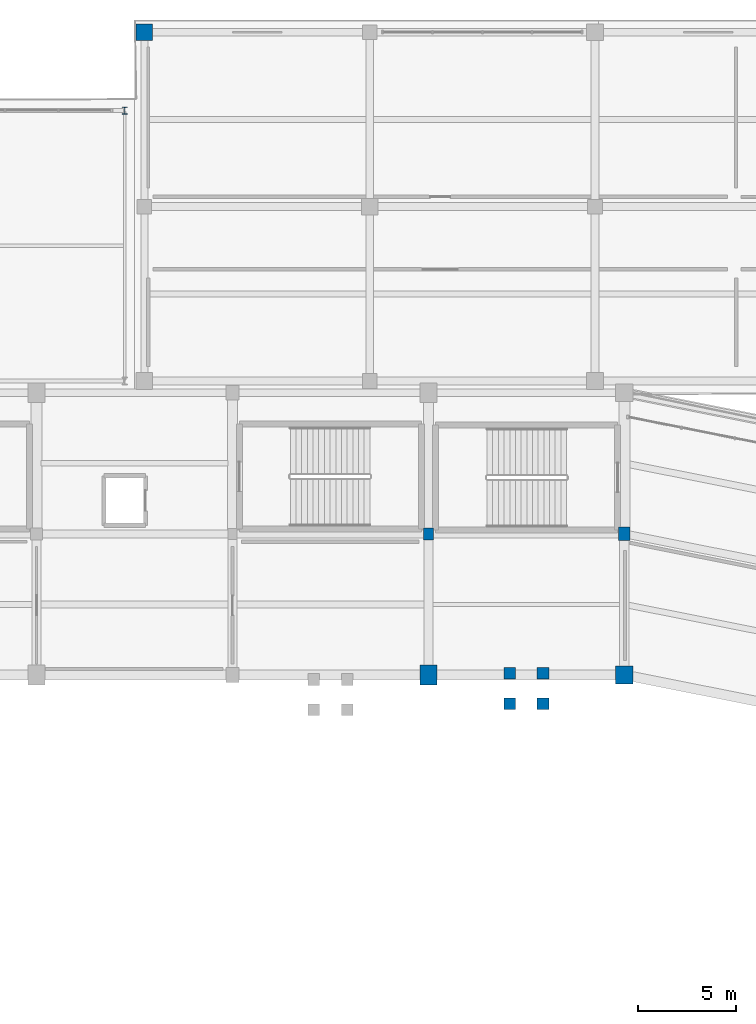
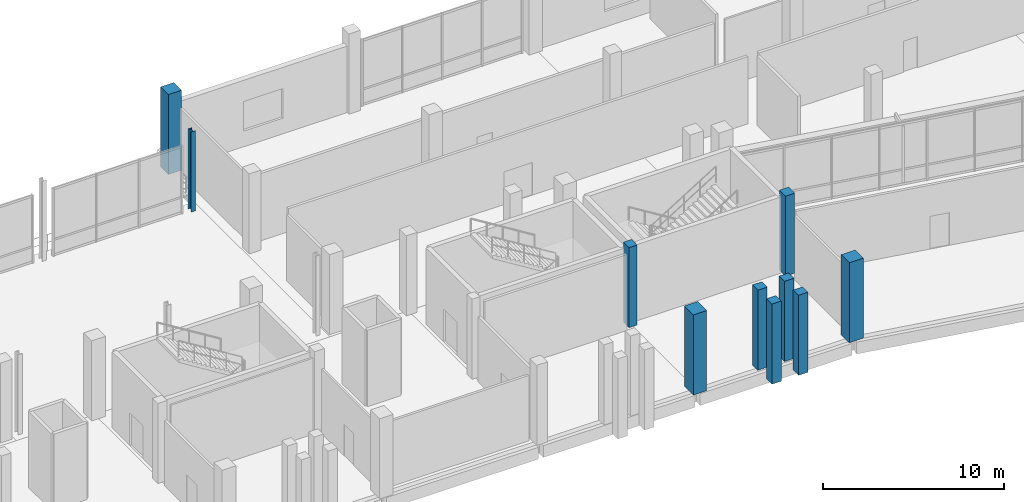
# One storey, part 9 of 114: 10 columns.
"""IFC4 building model written with IfcOpenShell, lengths in metres."""

from ifc_helpers import new_model, si_unit, direction, frame, origin, origin_2d, place, context, subcontext, project, spatial, rectangle, i_section, extrude, material, material_profile, profile_set, type_object, element, save


model = new_model("IFC4")

# Units and contexts
model_context = context("Model", 3, precision=1e-05, world=origin(), true_north=direction((0.0, 1.0)))
body_context = subcontext(model_context, "Body", "Model", "MODEL_VIEW")
ifc_project = project(units=[si_unit("LENGTHUNIT", "METRE"), si_unit("AREAUNIT", "SQUARE_METRE"), si_unit("VOLUMEUNIT", "CUBIC_METRE"), si_unit("PLANEANGLEUNIT", "RADIAN"), si_unit("MASSUNIT", "GRAM", prefix="KILO")], contexts=[model_context])

# Site, building, storey
site_placement = place(None, origin())
site = spatial("IfcSite", under=ifc_project, at=site_placement, CompositionType="ELEMENT")
building_placement = place(site_placement, origin())
building = spatial("IfcBuilding", under=site, at=building_placement, Name="Candeia Ridge Stadium", CompositionType="ELEMENT")
storey_placement = place(building_placement, frame((0.0, 0.0, 5.39990234375)))
storey = spatial("IfcBuildingStorey", under=building, at=storey_placement, Name="L01", CompositionType="ELEMENT", Elevation=5.39990234375)

# Columns
ifc_material_1 = material(Name="Concrete C45/55", Category="concrete")
ifc_material_profile_1 = material_profile(ifc_material_1, rectangle(XDim=0.89990234375, YDim=0.89990234375, at=origin_2d()), Name="RC900x900", Category="concrete")
ifc_profile_set_1 = profile_set([ifc_material_profile_1], Name="Concrete C45/55")
column_type_1 = type_object("IfcColumnType", Name="Bowl Spine Column RC900x900", PredefinedType="COLUMN", material=ifc_profile_set_1)
column_1_placement = place(storey_placement, frame((141.0, 132.60009765625, 0.0), z_axis=(0.0, 0.0, 1.0), x_axis=(1.0, 0.0, 0.0)))
element("IfcColumn", 1, at=column_1_placement, inside=storey, type_object=column_type_1, Name="Structural column BC-MD-00 L01", PredefinedType="COLUMN", context=body_context, shape_type="SweptSolid", body=[
    extrude(rectangle(XDim=0.89990234375, YDim=0.89990234375, at=origin_2d()), origin(), (0.0, 0.0, 1.0), 5.400146484375),
])
ifc_material_2 = material(Name="Steel ASTM A572 Grade 50", Category="steel")
ifc_material_profile_2 = material_profile(ifc_material_2, i_section(OverallWidth=0.257080078125, OverallDepth=0.363037109375, WebThickness=0.012939453125, FlangeThickness=0.021728515625, FilletRadius=0.014892578125, at=origin_2d()), Name="W360x122", Category="steel")
ifc_profile_set_2 = profile_set([ifc_material_profile_2], Name="Steel ASTM A572 Grade 50")
column_type_2 = type_object("IfcColumnType", Name="Gate Steel Column W360x122", PredefinedType="COLUMN", material=ifc_profile_set_2)
column_2_placement = place(storey_placement, frame((115.5, 161.39990234375, 0.0), z_axis=(0.0, 0.0, 1.0), x_axis=(1.0, 0.0, 0.0)))
element("IfcColumn", 2, at=column_2_placement, inside=storey, type_object=column_type_2, Name="Structural column NG-02-01 L01", PredefinedType="COLUMN", context=body_context, shape_type="SweptSolid", body=[
    extrude(i_section(OverallWidth=0.257080078125, OverallDepth=0.363037109375, WebThickness=0.012939453125, FlangeThickness=0.021728515625, FilletRadius=0.014892578125, at=origin_2d()), origin(), (0.0, 0.0, 1.0), 5.400146484375),
])
ifc_material_3 = material(Name="Concrete C40/50", Category="concrete")
ifc_material_profile_3 = material_profile(ifc_material_3, rectangle(XDim=0.52001953125, YDim=0.6201171875, at=origin_2d()), Name="RC520x620", Category="concrete")
ifc_profile_set_3 = profile_set([ifc_material_profile_3], Name="Concrete C40/50")
column_type_3 = type_object("IfcColumnType", Name="Graduated Frame Column RC520x620", PredefinedType="COLUMN", material=ifc_profile_set_3)
column_3_placement = place(storey_placement, frame((131.0, 139.800048828125, 0.0), z_axis=(0.0, 0.0, 1.0), x_axis=(1.0, 0.0, 0.0)))
element("IfcColumn", 3, at=column_3_placement, inside=storey, type_object=column_type_3, Name="Structural column BC-M2-01 L01", PredefinedType="COLUMN", context=body_context, shape_type="SweptSolid", body=[
    extrude(rectangle(XDim=0.52001953125, YDim=0.6201171875, at=origin_2d()), origin(), (0.0, 0.0, 1.0), 5.400146484375),
])
ifc_material_profile_4 = material_profile(ifc_material_3, rectangle(XDim=0.580078125, YDim=0.679931640625, at=origin_2d()), Name="RC580x680", Category="concrete")
ifc_profile_set_4 = profile_set([ifc_material_profile_4], Name="Concrete C40/50")
column_type_4 = type_object("IfcColumnType", Name="Graduated Frame Column RC580x680", PredefinedType="COLUMN", material=ifc_profile_set_4)
column_4_placement = place(storey_placement, frame((141.0, 139.800048828125, 0.0), z_axis=(0.0, 0.0, 1.0), x_axis=(1.0, 0.0, 0.0)))
element("IfcColumn", 4, at=column_4_placement, inside=storey, type_object=column_type_4, Name="Structural column BC-M2-00 L01", PredefinedType="COLUMN", context=body_context, shape_type="SweptSolid", body=[
    extrude(rectangle(XDim=0.580078125, YDim=0.679931640625, at=origin_2d()), origin(), (0.0, 0.0, 1.0), 5.400146484375),
])
ifc_material_profile_5 = material_profile(ifc_material_1, rectangle(XDim=0.85009765625, YDim=1.0, at=origin_2d()), Name="RC850x1000", Category="concrete")
ifc_profile_set_5 = profile_set([ifc_material_profile_5], Name="Concrete C45/55")
column_type_5 = type_object("IfcColumnType", Name="Reinforced Concrete Column RC850x1000", PredefinedType="COLUMN", material=ifc_profile_set_5)
column_5_placement = place(storey_placement, frame((131.0, 132.60009765625, 0.0), z_axis=(0.0, 0.0, 1.0), x_axis=(1.0, 0.0, 0.0)))
element("IfcColumn", 5, at=column_5_placement, inside=storey, type_object=column_type_5, Name="Structural column BC-MD-01 L01", PredefinedType="COLUMN", context=body_context, shape_type="SweptSolid", body=[
    extrude(rectangle(XDim=0.85009765625, YDim=1.0, at=origin_2d()), origin(), (0.0, 0.0, 1.0), 5.400146484375),
])
ifc_material_profile_6 = material_profile(ifc_material_1, rectangle(XDim=0.85009765625, YDim=0.85009765625, at=origin_2d()), Name="RC850x850", Category="concrete")
ifc_profile_set_6 = profile_set([ifc_material_profile_6], Name="Concrete C45/55")
column_type_6 = type_object("IfcColumnType", Name="Reinforced Concrete Column RC850x850", PredefinedType="COLUMN", material=ifc_profile_set_6)
column_6_placement = place(storey_placement, frame((116.5, 165.39990234375, 0.0), z_axis=(0.0, 0.0, 1.0), x_axis=(1.0, 0.0, 0.0)))
element("IfcColumn", 6, at=column_6_placement, inside=storey, type_object=column_type_6, Name="Structural column NWE-00-02 L01", PredefinedType="COLUMN", context=body_context, shape_type="SweptSolid", body=[
    extrude(rectangle(XDim=0.85009765625, YDim=0.85009765625, at=origin_2d()), origin(), (0.0, 0.0, 1.0), 5.400146484375),
])
ifc_material_profile_7 = material_profile(ifc_material_3, rectangle(XDim=0.60009765625, YDim=0.60009765625, at=origin_2d()), Name="RC600x600", Category="concrete")
ifc_profile_set_7 = profile_set([ifc_material_profile_7], Name="Concrete C40/50")
column_type_7 = type_object("IfcColumnType", Name="Wing Column RC600x600", PredefinedType="COLUMN", material=ifc_profile_set_7)
for number, where, z_axis, x_axis, name in (
    (7, (135.14990234375, 132.681884765625, 0.0), (0.0, 0.0, 1.0), (1.0, 0.0, 0.0), "Vomitory VS25 landing support column 1 L01"),
    (8, (135.14990234375, 131.132080078125, 0.0), (0.0, 0.0, 1.0), (1.0, 0.0, 0.0), "Vomitory VS25 landing support column 2 L01"),
    (9, (136.85009765625, 131.132080078125, 0.0), (0.0, 0.0, 1.0), (1.0, 0.0, 0.0), "Vomitory VS25 landing support column 3 L01"),
    (10, (136.85009765625, 132.681884765625, 0.0), (0.0, 0.0, 1.0), (1.0, 0.0, 0.0), "Vomitory VS25 landing support column 4 L01"),
):
    element("IfcColumn", number, at=place(storey_placement, frame(where, z_axis=z_axis, x_axis=x_axis)), inside=storey, type_object=column_type_7, Name=name, PredefinedType="COLUMN", context=body_context, shape_type="SweptSolid", body=[
        extrude(rectangle(XDim=0.60009765625, YDim=0.60009765625, at=origin_2d()), origin(), (0.0, 0.0, 1.0), 5.400146484375),
    ])

save(model, "model.ifc")
